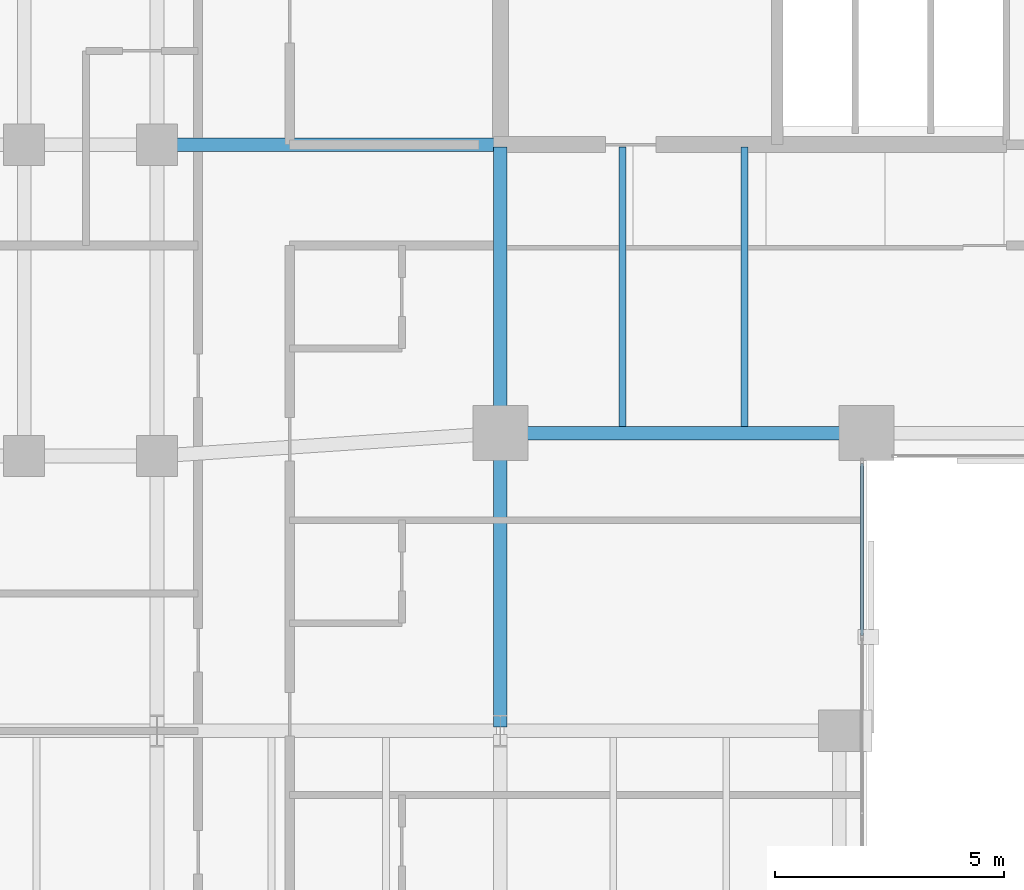
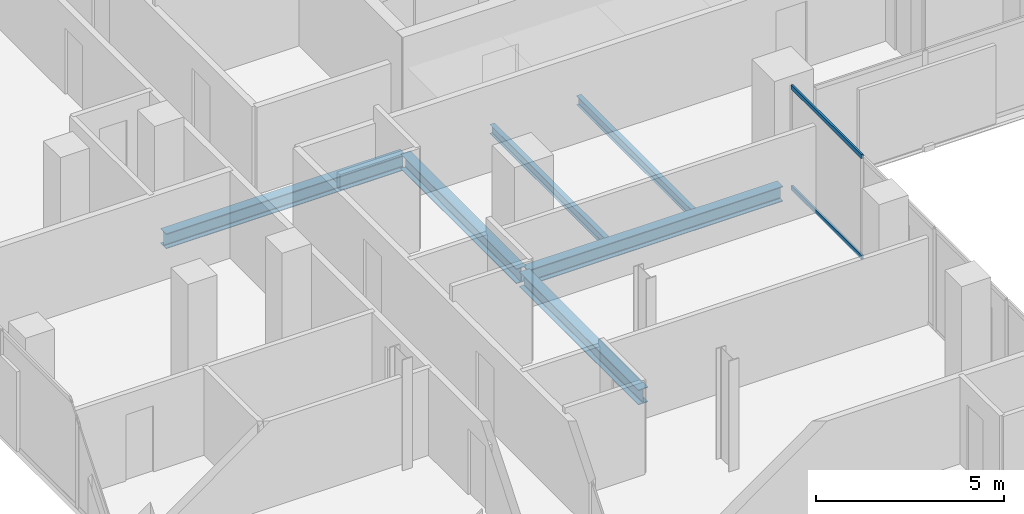
# One storey, part 12 of 35: 6 beams, 2 members, 1 element without a shape of its own.
"""IFC4 building model written with IfcOpenShell, lengths in metres."""

from ifc_helpers import new_model, si_unit, direction, frame, origin, origin_2d, place, context, subcontext, project, spatial, hollow_rectangle, i_section, extrude, material, layer, layer_set, material_profile, profile_set, type_object, element, aggregate, save


model = new_model("IFC4")

# Units and contexts
model_context = context("Model", 3, precision=1e-05, world=origin(), true_north=direction((0.0, 1.0)))
body_context = subcontext(model_context, "Body", "Model", "MODEL_VIEW")
ifc_project = project(units=[si_unit("LENGTHUNIT", "METRE"), si_unit("AREAUNIT", "SQUARE_METRE"), si_unit("VOLUMEUNIT", "CUBIC_METRE"), si_unit("PLANEANGLEUNIT", "RADIAN"), si_unit("MASSUNIT", "GRAM", prefix="KILO")], contexts=[model_context])

# Site, building, storey
site_placement = place(None, origin())
site = spatial("IfcSite", under=ifc_project, at=site_placement, CompositionType="ELEMENT")
building_placement = place(site_placement, origin())
building = spatial("IfcBuilding", under=site, at=building_placement, Name="Catumbela Crestline Tower", CompositionType="ELEMENT")
storey_placement = place(building_placement, frame((0.0, 0.0, 90.0)))
storey = spatial("IfcBuildingStorey", under=building, at=storey_placement, Name="L22", CompositionType="ELEMENT", Elevation=90.0)

# Beams
ifc_material_1 = material(Name="Structural steel S355J2", Category="steel")
ifc_material_profile_1 = material_profile(ifc_material_1, i_section(OverallWidth=0.3, OverallDepth=0.49, WebThickness=0.012, FlangeThickness=0.023, FilletRadius=0.027, at=origin_2d()), Name="HEA 500")
ifc_profile_set_1 = profile_set([ifc_material_profile_1], Name="Structural steel S355J2")
beam_type_1 = type_object("IfcBeamType", Name="BG-HEA500", PredefinedType="BEAM", material=ifc_profile_set_1)
beam_1_placement = place(storey_placement, frame((16.08, 24.5, -0.505), z_axis=(1.0, 0.0, 0.0), x_axis=(0.0, 1.0, 0.0)))
element("IfcBeam", 1, at=beam_1_placement, inside=storey, type_object=beam_type_1, Name="L22 Beam BM-L22-S04", PredefinedType="BEAM", context=body_context, shape_type="SweptSolid", body=[
    extrude(i_section(OverallWidth=0.3, OverallDepth=0.49, WebThickness=0.012, FlangeThickness=0.023, FilletRadius=0.027, at=origin_2d()), origin(), (0.0, 0.0, 1.0), 7.84),
])
beam_2_placement = place(storey_placement, frame((8.58, 30.8, -0.505), z_axis=(1.0, 0.0, 0.0), x_axis=(0.0, 1.0, 0.0)))
element("IfcBeam", 2, at=beam_2_placement, inside=storey, type_object=beam_type_1, Name="L22 Beam BM-L22-M09", PredefinedType="BEAM", context=body_context, shape_type="SweptSolid", body=[
    extrude(i_section(OverallWidth=0.3, OverallDepth=0.49, WebThickness=0.012, FlangeThickness=0.023, FilletRadius=0.027, at=origin_2d()), origin(), (0.0, 0.0, 1.0), 7.37),
])
beam_3_placement = place(storey_placement, frame((16.0, 24.58, -0.505), z_axis=(0.0, 1.0, 0.0), x_axis=(-1.0, 0.0, 0.0)))
element("IfcBeam", 3, at=beam_3_placement, inside=storey, type_object=beam_type_1, Name="L22 Beam BM-L22-SNS28", PredefinedType="BEAM", context=body_context, shape_type="SweptSolid", body=[
    extrude(i_section(OverallWidth=0.3, OverallDepth=0.49, WebThickness=0.012, FlangeThickness=0.023, FilletRadius=0.027, at=origin_2d()), origin(), (0.0, 0.0, 1.0), 6.17),
])
beam_4_placement = place(storey_placement, frame((16.0, 18.08, -0.505), z_axis=(0.0, 1.0, 0.0), x_axis=(-1.0, 0.0, 0.0)))
element("IfcBeam", 4, at=beam_4_placement, inside=storey, type_object=beam_type_1, Name="L22 Beam BM-L22-WNS60", PredefinedType="BEAM", context=body_context, shape_type="SweptSolid", body=[
    extrude(i_section(OverallWidth=0.3, OverallDepth=0.49, WebThickness=0.012, FlangeThickness=0.023, FilletRadius=0.027, at=origin_2d()), origin(), (0.0, 0.0, 1.0), 6.34),
])
ifc_material_profile_2 = material_profile(ifc_material_1, i_section(OverallWidth=0.15, OverallDepth=0.3, WebThickness=0.0071, FlangeThickness=0.0107, FilletRadius=0.015, at=origin_2d()), Name="IPE 300")
ifc_profile_set_2 = profile_set([ifc_material_profile_2], Name="Structural steel S355J2")
beam_type_2 = type_object("IfcBeamType", Name="BJ-IPE300", PredefinedType="JOIST", material=ifc_profile_set_2)
for number, where, z_axis, x_axis, name in (
    (5, (18.667, 24.647, -0.41), (0.0, 1.0, 0.0), (-1.0, 0.0, 0.0), "L22 Joist JS-L22-SP37"),
    (6, (21.333, 24.647, -0.41), (0.0, 1.0, 0.0), (-1.0, 0.0, 0.0), "L22 Joist JS-L22-SP38"),
):
    element("IfcBeam", number, at=place(storey_placement, frame(where, z_axis=z_axis, x_axis=x_axis)), inside=storey, type_object=beam_type_2, Name=name, PredefinedType="JOIST", context=body_context, shape_type="SweptSolid", body=[
        extrude(i_section(OverallWidth=0.15, OverallDepth=0.3, WebThickness=0.0071, FlangeThickness=0.0107, FilletRadius=0.015, at=origin_2d()), origin(), (0.0, 0.0, 1.0), 6.103),
    ])

# Curtain wall, members
ifc_material_2 = material(Name="Aluminium alloy AW-6060-T66", Category="aluminium")
ifc_layer = layer(ifc_material_2, 0.18, Name="Aluminium alloy AW-6060-T66")
ifc_layer_set = layer_set([ifc_layer], Name="Aluminium alloy AW-6060-T66")
curtain_wall_type = type_object("IfcCurtainWallType", Name="CWU-Z2", PredefinedType="USERDEFINED", material=ifc_layer_set)
curtain_wall_placement = place(storey_placement, origin())
curtain_wall = element("IfcCurtainWall", 7, at=curtain_wall_placement, inside=storey, type_object=curtain_wall_type, Name="L22 Unitised Curtain Wall CW-L22-E2S1", ObjectType="UNITISED", PredefinedType="USERDEFINED")
ifc_material_profile_3 = material_profile(ifc_material_2, hollow_rectangle(XDim=0.06, YDim=0.14, WallThickness=0.004, at=origin_2d()), Name="ALU 140x60x4")
ifc_profile_set_3 = profile_set([ifc_material_profile_3], Name="Aluminium alloy AW-6060-T66")
member_type = type_object("IfcMemberType", Name="TRN-140X60", PredefinedType="USERDEFINED", material=ifc_profile_set_3)
member_1_placement = place(storey_placement, frame((23.9, 20.0825, 0.03), z_axis=(0.0, 1.0, 0.0), x_axis=(-1.0, 0.0, 0.0)))
member_1 = element("IfcMember", 8, at=member_1_placement, type_object=member_type, Name="CWU-Z2 transom 4.1", ObjectType="TRANSOM", PredefinedType="USERDEFINED", context=body_context, shape_type="SweptSolid", body=[
    extrude(hollow_rectangle(XDim=0.06, YDim=0.14, WallThickness=0.004, at=origin_2d()), origin(), (0.0, 0.0, 1.0), 3.7525),
])
member_2_placement = place(storey_placement, frame((23.9, 20.0825, 3.3), z_axis=(0.0, 1.0, 0.0), x_axis=(-1.0, 0.0, 0.0)))
member_2 = element("IfcMember", 9, at=member_2_placement, type_object=member_type, Name="CWU-Z2 transom 4.2", ObjectType="TRANSOM", PredefinedType="USERDEFINED", context=body_context, shape_type="SweptSolid", body=[
    extrude(hollow_rectangle(XDim=0.06, YDim=0.14, WallThickness=0.004, at=origin_2d()), origin(), (0.0, 0.0, 1.0), 3.7525),
])
aggregate(curtain_wall, [member_1, member_2])

save(model, "model.ifc")
